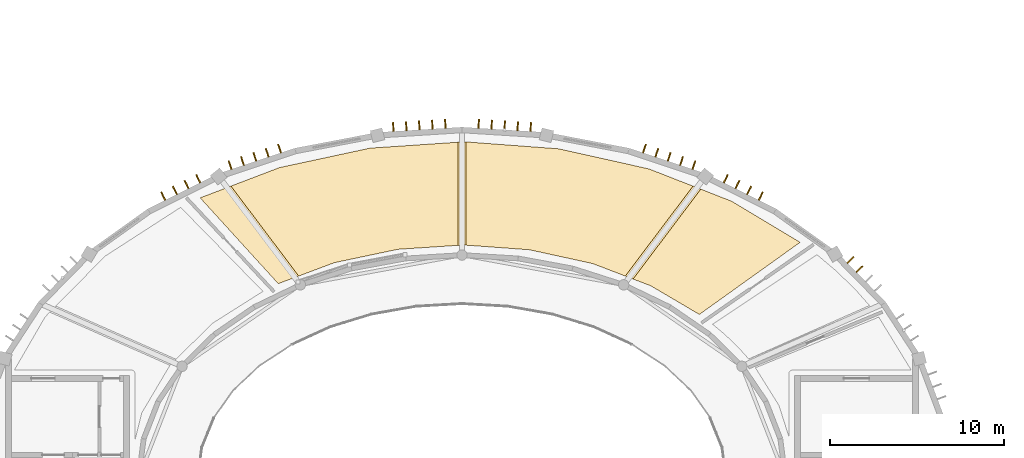
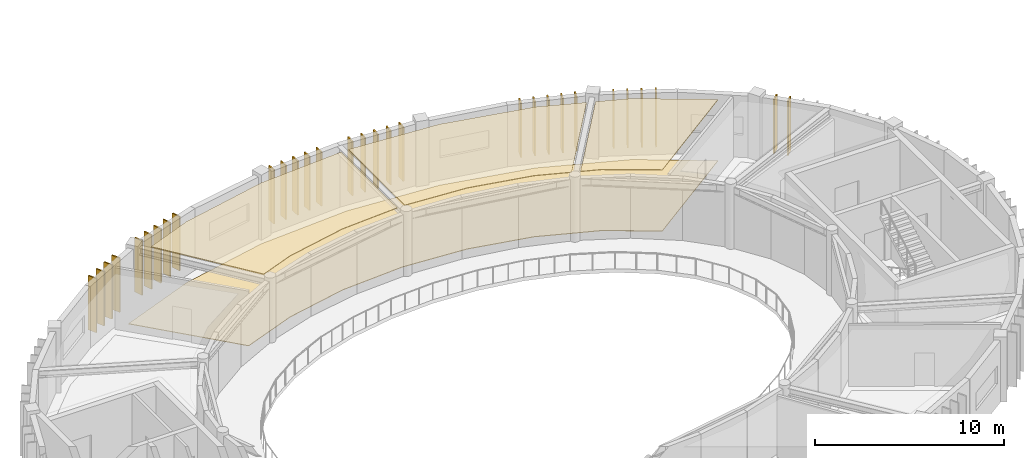
# One storey, part 27 of 29: 30 shading devices, 4 coverings.
"""IFC4 building model written with IfcOpenShell, lengths in metres."""

from ifc_helpers import new_model, si_unit, direction, frame, origin, origin_2d, place, context, subcontext, project, spatial, polyline, rectangle, outline, extrude, material, layer, layer_set, type_object, element, save


model = new_model("IFC4")

# Units and contexts
model_context = context("Model", 3, precision=1e-05, world=origin(), true_north=direction((0.0, 1.0)))
body_context = subcontext(model_context, "Body", "Model", "MODEL_VIEW")
ifc_project = project(units=[si_unit("LENGTHUNIT", "METRE"), si_unit("AREAUNIT", "SQUARE_METRE"), si_unit("VOLUMEUNIT", "CUBIC_METRE"), si_unit("PLANEANGLEUNIT", "RADIAN"), si_unit("MASSUNIT", "GRAM", prefix="KILO")], contexts=[model_context])

# Site, building, storey
site_placement = place(None, origin())
site = spatial("IfcSite", under=ifc_project, at=site_placement, CompositionType="ELEMENT")
building_placement = place(site_placement, origin())
building = spatial("IfcBuilding", under=site, at=building_placement, Name="Tarnveldt Headland Concert Hall", CompositionType="ELEMENT")
storey_placement = place(building_placement, frame((0.0, 0.0, 18.60009765625)))
storey = spatial("IfcBuildingStorey", under=building, at=storey_placement, Name="L04", CompositionType="ELEMENT", Elevation=18.60009765625)

# Coverings
ifc_material_1 = material(Name="Micro-perforated mvule acoustic ceiling panel", Category="timber")
ifc_layer_1 = layer(ifc_material_1, 0.050048828125, Name="Micro-perforated mvule acoustic ceiling panel", Category="timber")
ifc_layer_set_1 = layer_set([ifc_layer_1], Name="Micro-perforated mvule acoustic ceiling panel")
covering_type_1 = type_object("IfcCoveringType", Name="CV-CEIL50", PredefinedType="CEILING", material=ifc_layer_set_1)
covering_1_placement = place(storey_placement, frame((0.0, 0.0, 3.929931640625)))
element("IfcCovering", 1, at=covering_1_placement, inside=storey, type_object=covering_type_1, Name="Acoustic mvule ceiling L04-09-335", PredefinedType="CEILING", context=body_context, shape_type="SweptSolid", body=[
    extrude(outline(polyline([(97.239013671875, 71.09228515625), (99.024658203125, 70.39453125), (102.9541015625, 68.03271484375), (97.157958984375, 63.884033203125), (94.37255859375, 65.524169921875), (94.359375, 65.53125), (94.345703125, 65.537109375), (93.341796875, 65.921630859375), (97.239013671875, 71.09228515625)])), origin(), (0.0, 0.0, 1.0), 0.050048828125),
])
covering_2_placement = place(storey_placement, frame((0.0, 0.0, 3.929931640625)))
element("IfcCovering", 2, at=covering_2_placement, inside=storey, type_object=covering_type_1, Name="Acoustic mvule ceiling L04-09-336", PredefinedType="CEILING", context=body_context, shape_type="SweptSolid", body=[
    extrude(outline(polyline([(87.39599609375, 67.60107421875), (87.37060546875, 67.6044921875), (83.72998046875, 67.870361328125), (83.72998046875, 73.8125), (89.056884765625, 73.415283203125), (94.255615234375, 72.258056640625), (96.794189453125, 71.26611328125), (92.89453125, 66.0927734375), (91.031982421875, 66.805908203125), (91.01904296875, 66.810302734375), (91.005859375, 66.813720703125), (87.39599609375, 67.60107421875)])), origin(), (0.0, 0.0, 1.0), 0.050048828125),
])
covering_3_placement = place(storey_placement, frame((0.0, 0.0, 3.929931640625)))
element("IfcCovering", 3, at=covering_3_placement, inside=storey, type_object=covering_type_1, Name="Acoustic mvule ceiling L04-09-337", PredefinedType="CEILING", context=body_context, shape_type="SweptSolid", body=[
    extrude(outline(polyline([(76.169921875, 66.864990234375), (76.156982421875, 66.86181640625), (76.14404296875, 66.857421875), (74.103759765625, 66.0947265625), (70.204345703125, 71.26806640625), (72.995849609375, 72.333251953125), (78.210693359375, 73.45361328125), (83.27001953125, 73.794677734375), (83.27001953125, 67.85888671875), (79.816162109375, 67.630859375), (79.791015625, 67.627197265625), (76.169921875, 66.864990234375)])), origin(), (0.0, 0.0, 1.0), 0.050048828125),
])
ifc_material_2 = material(Name="Polished coral-aggregate cementitious terrazzo flooring", Category="concrete")
ifc_layer_2 = layer(ifc_material_2, 0.034912109375, Name="Polished coral-aggregate cementitious terrazzo flooring", Category="concrete")
ifc_layer_set_2 = layer_set([ifc_layer_2], Name="Polished coral-aggregate cementitious terrazzo flooring")
covering_type_2 = type_object("IfcCoveringType", Name="CV-FLOR35", PredefinedType="FLOORING", material=ifc_layer_set_2)
covering_4_placement = place(storey_placement, origin())
element("IfcCovering", 4, at=covering_4_placement, inside=storey, type_object=covering_type_2, Name="Architectural flooring L04-09-120", PredefinedType="FLOORING", context=body_context, shape_type="SweptSolid", body=[
    extrude(outline(polyline([(94.359375, 65.53125), (94.345703125, 65.537109375), (93.199951171875, 65.975830078125), (93.199951171875, 65.985107421875), (93.17578125, 65.985107421875), (91.031982421875, 66.805908203125), (91.01904296875, 66.810302734375), (91.005859375, 66.813720703125), (87.39599609375, 67.60107421875), (87.37060546875, 67.6044921875), (83.60791015625, 67.87939453125), (83.582763671875, 67.87939453125), (79.816162109375, 67.630859375), (79.791015625, 67.627197265625), (76.169921875, 66.864990234375), (76.156982421875, 66.86181640625), (76.14404296875, 66.857421875), (73.810546875, 65.985107421875), (73.800048828125, 65.985107421875), (73.800048828125, 65.981201171875), (72.926513671875, 65.654541015625), (68.43310546875, 70.592041015625), (72.995849609375, 72.333251953125), (78.210693359375, 73.45361328125), (83.636474609375, 73.8193359375), (89.056884765625, 73.415283203125), (94.255615234375, 72.258056640625), (99.024658203125, 70.39453125), (102.9541015625, 68.03271484375), (97.157958984375, 63.884033203125), (94.37255859375, 65.524169921875), (94.359375, 65.53125)])), origin(), (0.0, 0.0, 1.0), 0.034912109375),
])

# Shading devices
ifc_material_3 = material(Name="Terracotta-anodised aluminium EN AW-6063-T6", Category="masonry")
shading_device_type = type_object("IfcShadingDeviceType", Name="SD-FIN520", PredefinedType="USERDEFINED", material=ifc_material_3)
for number, where, z_axis, x_axis, name in (
    (5, (106.384521484375, 66.488037109375, 0.25), (0.0, 0.0, 1.0), (0.714106238843, 0.700037341608, 0.0), "Drum terracotta acoustic solar fin L04-107"),
    (6, (105.859619140625, 67.0234375, 0.25), (0.0, 0.0, 1.0), (0.714106238843, 0.700037341608, 0.0), "Drum terracotta acoustic solar fin L04-108"),
    (7, (100.69189453125, 70.69091796875, 0.25), (0.0, 0.0, 1.0), (0.447290848419, 0.89438856037, 0.0), "Drum terracotta acoustic solar fin L04-109"),
    (8, (100.021240234375, 71.0263671875, 0.25), (0.0, 0.0, 1.0), (0.447290848419, 0.89438856037, 0.0), "Drum terracotta acoustic solar fin L04-110"),
    (9, (99.350341796875, 71.36181640625, 0.25), (0.0, 0.0, 1.0), (0.447290848419, 0.89438856037, 0.0), "Drum terracotta acoustic solar fin L04-111"),
    (10, (98.6796875, 71.697265625, 0.25), (0.0, 0.0, 1.0), (0.447290848419, 0.89438856037, 0.0), "Drum terracotta acoustic solar fin L04-112"),
    (11, (96.843505859375, 72.479248046875, 0.25), (0.0, 0.0, 1.0), (0.315980237922, 0.948765771538, 0.0), "Drum terracotta acoustic solar fin L04-113"),
    (12, (96.1318359375, 72.71630859375, 0.25), (0.0, 0.0, 1.0), (0.315980237922, 0.948765771538, 0.0), "Drum terracotta acoustic solar fin L04-114"),
    (13, (95.420166015625, 72.953369140625, 0.25), (0.0, 0.0, 1.0), (0.315980237922, 0.948765771538, 0.0), "Drum terracotta acoustic solar fin L04-115"),
    (14, (94.708740234375, 73.190185546875, 0.25), (0.0, 0.0, 1.0), (0.315980237922, 0.948765771538, 0.0), "Drum terracotta acoustic solar fin L04-116"),
    (15, (93.9970703125, 73.42724609375, 0.25), (0.0, 0.0, 1.0), (0.315980237922, 0.948765771538, 0.0), "Drum terracotta acoustic solar fin L04-117"),
    (16, (87.4541015625, 74.671142578125, 0.25), (0.0, 0.0, 1.0), (0.062442138662, 0.998048585651, 0.0), "Drum terracotta acoustic solar fin L04-118"),
    (17, (86.70556640625, 74.718017578125, 0.25), (0.0, 0.0, 1.0), (0.062442138662, 0.998048585651, 0.0), "Drum terracotta acoustic solar fin L04-119"),
    (18, (85.95703125, 74.764892578125, 0.25), (0.0, 0.0, 1.0), (0.062442138662, 0.998048585651, 0.0), "Drum terracotta acoustic solar fin L04-120"),
    (19, (85.20849609375, 74.8115234375, 0.25), (0.0, 0.0, 1.0), (0.062442138662, 0.998048585651, 0.0), "Drum terracotta acoustic solar fin L04-121"),
    (20, (84.4599609375, 74.8583984375, 0.25), (0.0, 0.0, 1.0), (0.062442138662, 0.998048585651, 0.0), "Drum terracotta acoustic solar fin L04-122"),
    (21, (82.5400390625, 74.8583984375, 0.25), (0.0, 0.0, 1.0), (-0.062442138662, 0.998048585651, 0.0), "Drum terracotta acoustic solar fin L04-123"),
    (22, (81.79150390625, 74.8115234375, 0.25), (0.0, 0.0, 1.0), (-0.062442138662, 0.998048585651, 0.0), "Drum terracotta acoustic solar fin L04-124"),
    (23, (81.04296875, 74.764892578125, 0.25), (0.0, 0.0, 1.0), (-0.062442138662, 0.998048585651, 0.0), "Drum terracotta acoustic solar fin L04-125"),
    (24, (80.29443359375, 74.718017578125, 0.25), (0.0, 0.0, 1.0), (-0.062442138662, 0.998048585651, 0.0), "Drum terracotta acoustic solar fin L04-126"),
    (25, (79.5458984375, 74.671142578125, 0.25), (0.0, 0.0, 1.0), (-0.062442138662, 0.998048585651, 0.0), "Drum terracotta acoustic solar fin L04-127"),
    (26, (73.0029296875, 73.42724609375, 0.25), (0.0, 0.0, 1.0), (-0.315980237922, 0.948765771538, 0.0), "Drum terracotta acoustic solar fin L04-128"),
    (27, (72.291259765625, 73.190185546875, 0.25), (0.0, 0.0, 1.0), (-0.315980237922, 0.948765771538, 0.0), "Drum terracotta acoustic solar fin L04-129"),
    (28, (71.579833984375, 72.953369140625, 0.25), (0.0, 0.0, 1.0), (-0.315980237922, 0.948765771538, 0.0), "Drum terracotta acoustic solar fin L04-130"),
    (29, (70.8681640625, 72.71630859375, 0.25), (0.0, 0.0, 1.0), (-0.315980237922, 0.948765771538, 0.0), "Drum terracotta acoustic solar fin L04-131"),
    (30, (70.156494140625, 72.479248046875, 0.25), (0.0, 0.0, 1.0), (-0.315980237922, 0.948765771538, 0.0), "Drum terracotta acoustic solar fin L04-132"),
    (31, (68.3203125, 71.697265625, 0.25), (0.0, 0.0, 1.0), (-0.447290848419, 0.89438856037, 0.0), "Drum terracotta acoustic solar fin L04-133"),
    (32, (67.649658203125, 71.36181640625, 0.25), (0.0, 0.0, 1.0), (-0.447290848419, 0.89438856037, 0.0), "Drum terracotta acoustic solar fin L04-134"),
    (33, (66.978759765625, 71.0263671875, 0.25), (0.0, 0.0, 1.0), (-0.447290848419, 0.89438856037, 0.0), "Drum terracotta acoustic solar fin L04-135"),
    (34, (66.30810546875, 70.69091796875, 0.25), (0.0, 0.0, 1.0), (-0.447290848419, 0.89438856037, 0.0), "Drum terracotta acoustic solar fin L04-136"),
):
    element("IfcShadingDevice", number, at=place(storey_placement, frame(where, z_axis=z_axis, x_axis=x_axis)), inside=storey, type_object=shading_device_type, Name=name, ObjectType="FIN", PredefinedType="USERDEFINED", context=body_context, shape_type="SweptSolid", body=[
        extrude(rectangle(XDim=0.52001953125, YDim=0.080078125, at=origin_2d()), origin(), (0.0, 0.0, 1.0), 3.5),
    ])

save(model, "model.ifc")
